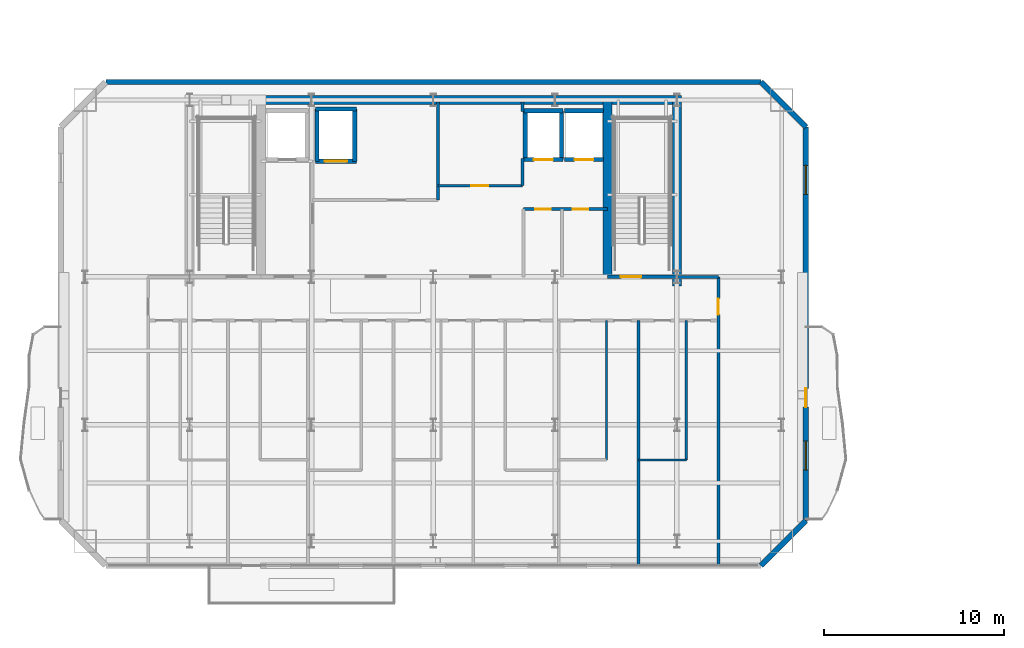
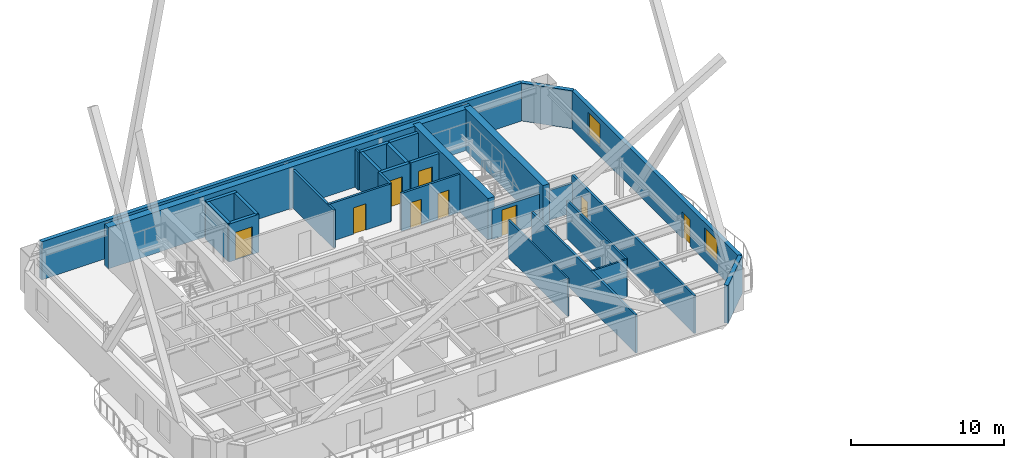
# One storey, part 12 of 20: 29 walls, 9 doors, 2 windows, 11 openings.
"""IFC4 building model written with IfcOpenShell, lengths in metres."""

from ifc_helpers import new_model, si_unit, direction, frame, frame_2d, origin, place, context, subcontext, project, spatial, rectangle, extrude, material, layer, layer_set, type_object, element, fill, save


model = new_model("IFC4")

# Units and contexts
model_context = context("Model", 3, precision=1e-05, world=origin(), true_north=direction((0.0, 1.0)))
body_context = subcontext(model_context, "Body", "Model", "MODEL_VIEW")
ifc_project = project(units=[si_unit("LENGTHUNIT", "METRE"), si_unit("AREAUNIT", "SQUARE_METRE"), si_unit("VOLUMEUNIT", "CUBIC_METRE"), si_unit("PLANEANGLEUNIT", "RADIAN"), si_unit("MASSUNIT", "GRAM", prefix="KILO")], contexts=[model_context])

# Site, building, storey
site_placement = place(None, origin())
site = spatial("IfcSite", under=ifc_project, at=site_placement, CompositionType="ELEMENT")
building_placement = place(site_placement, origin())
building = spatial("IfcBuilding", under=site, at=building_placement, Name="Haevon Station Towers", CompositionType="ELEMENT")
storey_placement = place(building_placement, frame((0.0, 0.0, 175.800048828125)))
storey = spatial("IfcBuildingStorey", under=building, at=storey_placement, Name="L48", CompositionType="ELEMENT", Elevation=175.800048828125)

# Wall, opening, door
ifc_material_1 = material(Name="Gypsum board on steel stud", Category="steel")
ifc_layer_1 = layer(ifc_material_1, 0.199951171875)
ifc_layer_set_1 = layer_set([ifc_layer_1], Name="Gypsum board on steel stud")
wall_type_1 = type_object("IfcWallType", Name="WL-COR200", PredefinedType="PARTITIONING", material=ifc_layer_set_1)
wall_1_placement = place(storey_placement, frame((47.14990234375, 38.199951171875, 0.0), z_axis=(0.0, 0.0, 1.0), x_axis=(1.0, 0.0, 0.0)))
wall_1 = element("IfcWall", 1, at=wall_1_placement, inside=storey, type_object=wall_type_1, Name="WL-ST-ST2-L48", PredefinedType="PARTITIONING", context=body_context, shape_type="SweptSolid", body=[
    extrude(rectangle(XDim=3.85009765625, YDim=0.199951171875, at=frame_2d((1.925048828125, 0.0))), origin(), (0.0, 0.0, 1.0), 2.3798828125),
])
opening_1_placement = place(wall_1_placement, frame((0.75, 0.0, 0.0)))
opening_1 = element("IfcOpeningElement", 2, at=opening_1_placement, cuts=wall_1, Name="Opening DR-ST-ST2-L48", PredefinedType="OPENING", context=body_context, shape_type="SweptSolid", body=[
    extrude(rectangle(XDim=1.1201171875, YDim=2.10009765625, at=frame_2d((0.56005859375, 1.050048828125))), frame((0.0, 0.10986328125, 0.0), z_axis=(0.0, -1.0, 0.0), x_axis=(1.0, 0.0, 0.0)), (0.0, 0.0, 1.0), 0.219970703125),
])
ifc_material_2 = material(Name="Engineered oak timber", Category="wood")
door_type_1 = type_object("IfcDoorType", Name="DR-ST-1120", OperationType="NOTDEFINED", PredefinedType="DOOR", material=ifc_material_2)
door_1_placement = place(opening_1_placement, origin())
door_1 = element("IfcDoor", 3, at=door_1_placement, inside=storey, type_object=door_type_1, Name="L48 Escape Stair ST2 Fire Door", OperationType="SINGLE_SWING_RIGHT", OverallHeight=2.10009765625, OverallWidth=1.1201171875, PredefinedType="DOOR", context=body_context, shape_type="SweptSolid", body=[
    extrude(rectangle(XDim=1.1201171875, YDim=2.10009765625, at=frame_2d((0.56005859375, 1.050048828125))), frame((0.0, 0.02490234375, 0.0), z_axis=(0.0, -1.0, 0.0), x_axis=(1.0, 0.0, 0.0)), (0.0, 0.0, 1.0), 0.050048828125),
])
fill(opening_1, door_1)

# Walls
ifc_material_3 = material(Name="Concrete C60/75", Category="concrete")
ifc_layer_2 = layer(ifc_material_3, 0.5)
ifc_layer_set_2 = layer_set([ifc_layer_2], Name="Concrete C60/75")
wall_type_2 = type_object("IfcWallType", Name="WL-CR500", PredefinedType="SHEAR", material=ifc_layer_set_2)
wall_2_placement = place(storey_placement, frame((23.75, 48.0, 0.0), z_axis=(0.0, 0.0, 1.0), x_axis=(1.0, 0.0, 0.0)))
element("IfcWall", 4, at=wall_2_placement, inside=storey, type_object=wall_type_2, Name="WL-T1CR-L48-N", PredefinedType="SHEAR", context=body_context, shape_type="SweptSolid", body=[
    extrude(rectangle(XDim=27.5, YDim=0.5, at=frame_2d((13.75, 0.0))), origin(), (0.0, 0.0, 1.0), 3.300048828125),
])
wall_3_placement = place(storey_placement, frame((51.0, 37.679931640625, 0.0), z_axis=(0.0, 0.0, 1.0), x_axis=(0.0, 1.0, 0.0)))
element("IfcWall", 5, at=wall_3_placement, inside=storey, type_object=wall_type_2, Name="WL-T1CR-L48-E", PredefinedType="SHEAR", context=body_context, shape_type="SweptSolid", body=[
    extrude(rectangle(XDim=10.320068359375, YDim=0.5, at=frame_2d((5.16015625, 0.0))), origin(), (0.0, 0.0, 1.0), 3.300048828125),
])
wall_4_placement = place(storey_placement, frame((47.14990234375, 38.199951171875, 0.0), z_axis=(0.0, 0.0, 1.0), x_axis=(0.0, 1.0, 0.0)))
element("IfcWall", 6, at=wall_4_placement, inside=storey, type_object=wall_type_2, Name="WL-T1CR-L48-M2", PredefinedType="SHEAR", context=body_context, shape_type="SweptSolid", body=[
    extrude(rectangle(XDim=9.800048828125, YDim=0.5, at=frame_2d((4.89990234375, 0.0))), origin(), (0.0, 0.0, 1.0), 3.300048828125),
])
ifc_material_4 = material(Name="Precast concrete C45/55", Category="concrete")
ifc_layer_3 = layer(ifc_material_4, 0.300048828125)
ifc_layer_set_3 = layer_set([ifc_layer_3], Name="Precast concrete C45/55")
wall_type_3 = type_object("IfcWallType", Name="WL-EXT-PIER300", PredefinedType="SOLIDWALL", material=ifc_layer_set_3)
wall_5_placement = place(storey_placement, frame((19.35009765625, 49.0, 0.0), z_axis=(0.0, 0.0, 1.0), x_axis=(1.0, 0.0, 0.0)))
element("IfcWall", 7, at=wall_5_placement, inside=storey, type_object=wall_type_3, Name="WL-T1-L48-N", PredefinedType="SOLIDWALL", context=body_context, shape_type="SweptSolid", body=[
    extrude(rectangle(XDim=36.2998046875, YDim=0.300048828125, at=frame_2d((18.14990234375, 0.0))), origin(), (0.0, 0.0, 1.0), 3.030029296875),
])
wall_6_placement = place(storey_placement, frame((55.64990234375, 49.0, 0.0), z_axis=(0.0, 0.0, 1.0), x_axis=(0.707106781187, -0.707106781187, 0.0)))
element("IfcWall", 8, at=wall_6_placement, inside=storey, type_object=wall_type_3, Name="WL-T1-L48-NEC", PredefinedType="SOLIDWALL", context=body_context, shape_type="SweptSolid", body=[
    extrude(rectangle(XDim=3.53564453125, YDim=0.300048828125, at=frame_2d((1.767822265625, 0.0))), origin(), (0.0, 0.0, 1.0), 3.030029296875),
])

# Wall, openings, door, windows
wall_7_placement = place(storey_placement, frame((58.14990234375, 46.5, 0.0), z_axis=(0.0, 0.0, 1.0), x_axis=(0.0, -1.0, 0.0)))
wall_7 = element("IfcWall", 9, at=wall_7_placement, inside=storey, type_object=wall_type_3, Name="WL-T1-L48-E", PredefinedType="SOLIDWALL", context=body_context, shape_type="SweptSolid", body=[
    extrude(rectangle(XDim=21.800048828125, YDim=0.300048828125, at=frame_2d((10.89990234375, 0.0))), origin(), (0.0, 0.0, 1.0), 3.030029296875),
])
opening_2_placement = place(wall_7_placement, frame((14.47509765625, 0.0, 0.0)))
opening_2 = element("IfcOpeningElement", 10, at=opening_2_placement, cuts=wall_7, Name="Opening DR-T1-SCAL-L48-E", PredefinedType="OPENING", context=body_context, shape_type="SweptSolid", body=[
    extrude(rectangle(XDim=1.050048828125, YDim=2.10009765625, at=frame_2d((0.52490234375, 1.050048828125))), frame((0.0, 0.159912109375, 0.0), z_axis=(0.0, -1.0, 0.0), x_axis=(1.0, 0.0, 0.0)), (0.0, 0.0, 1.0), 0.320068359375),
])
opening_3_placement = place(wall_7_placement, frame((2.128662109375, 0.0, 0.800048828125)))
opening_3 = element("IfcOpeningElement", 11, at=opening_3_placement, cuts=wall_7, Name="Opening WN-END160", PredefinedType="OPENING", context=body_context, shape_type="SweptSolid", body=[
    extrude(rectangle(XDim=1.60009765625, YDim=1.800048828125, at=frame_2d((0.800048828125, 0.89990234375))), frame((0.0, 0.159912109375, 0.0), z_axis=(0.0, -1.0, 0.0), x_axis=(1.0, 0.0, 0.0)), (0.0, 0.0, 1.0), 0.320068359375),
])
opening_4_placement = place(wall_7_placement, frame((17.406982421875, 0.0, 0.800048828125)))
opening_4 = element("IfcOpeningElement", 12, at=opening_4_placement, cuts=wall_7, Name="Opening WN-END160", PredefinedType="OPENING", context=body_context, shape_type="SweptSolid", body=[
    extrude(rectangle(XDim=1.60009765625, YDim=1.800048828125, at=frame_2d((0.800048828125, 0.89990234375))), frame((0.0, 0.159912109375, 0.0), z_axis=(0.0, -1.0, 0.0), x_axis=(1.0, 0.0, 0.0)), (0.0, 0.0, 1.0), 0.320068359375),
])
ifc_material_5 = material(Name="Thermally broken anodised aluminium and laminated safety glass", Category="aluminium")
door_type_2 = type_object("IfcDoorType", Name="DR-BALC-1050", OperationType="NOTDEFINED", PredefinedType="DOOR", material=ifc_material_5)
door_2_placement = place(opening_2_placement, origin())
door_2 = element("IfcDoor", 13, at=door_2_placement, inside=storey, type_object=door_type_2, Name="Tower 1 L48 East Scalloped Balcony Door", OperationType="SINGLE_SWING_RIGHT", OverallHeight=2.10009765625, OverallWidth=1.050048828125, PredefinedType="DOOR", context=body_context, shape_type="SweptSolid", body=[
    extrude(rectangle(XDim=1.050048828125, YDim=2.10009765625, at=frame_2d((0.52490234375, 1.050048828125))), frame((0.0, 0.02490234375, 0.0), z_axis=(0.0, -1.0, 0.0), x_axis=(1.0, 0.0, 0.0)), (0.0, 0.0, 1.0), 0.050048828125),
])
fill(opening_2, door_2)
ifc_material_6 = material(Name="Low-E triple glazing in thermally broken aluminium", Category="aluminium")
window_type = type_object("IfcWindowType", Name="WN-END160", PartitioningType="SINGLE_PANEL", PredefinedType="WINDOW", material=ifc_material_6)
window_1_placement = place(opening_3_placement, origin())
window_1 = element("IfcWindow", 14, at=window_1_placement, inside=storey, type_object=window_type, Name="WN-T1-L48-E01", OverallHeight=1.800048828125, OverallWidth=1.60009765625, PartitioningType="SINGLE_PANEL", PredefinedType="WINDOW", context=body_context, shape_type="SweptSolid", body=[
    extrude(rectangle(XDim=1.60009765625, YDim=1.800048828125, at=frame_2d((0.800048828125, 0.89990234375))), frame((0.0, 0.030029296875, 0.0), z_axis=(0.0, -1.0, 0.0), x_axis=(1.0, 0.0, 0.0)), (0.0, 0.0, 1.0), 0.06005859375),
])
fill(opening_3, window_1)
window_2_placement = place(opening_4_placement, origin())
window_2 = element("IfcWindow", 15, at=window_2_placement, inside=storey, type_object=window_type, Name="WN-T1-L48-E02", OverallHeight=1.800048828125, OverallWidth=1.60009765625, PartitioningType="SINGLE_PANEL", PredefinedType="WINDOW", context=body_context, shape_type="SweptSolid", body=[
    extrude(rectangle(XDim=1.60009765625, YDim=1.800048828125, at=frame_2d((0.800048828125, 0.89990234375))), frame((0.0, 0.030029296875, 0.0), z_axis=(0.0, -1.0, 0.0), x_axis=(1.0, 0.0, 0.0)), (0.0, 0.0, 1.0), 0.06005859375),
])
fill(opening_4, window_2)

# Walls
wall_8_placement = place(storey_placement, frame((58.14990234375, 24.699951171875, 0.0), z_axis=(0.0, 0.0, 1.0), x_axis=(-0.707106781187, -0.707106781187, 0.0)))
element("IfcWall", 16, at=wall_8_placement, inside=storey, type_object=wall_type_3, Name="WL-T1-L48-SEC", PredefinedType="SOLIDWALL", context=body_context, shape_type="SweptSolid", body=[
    extrude(rectangle(XDim=3.53564453125, YDim=0.300048828125, at=frame_2d((1.767822265625, 0.0))), origin(), (0.0, 0.0, 1.0), 3.030029296875),
])
ifc_layer_4 = layer(ifc_material_1, 0.125)
ifc_layer_set_4 = layer_set([ifc_layer_4], Name="Gypsum board on steel stud")
wall_type_4 = type_object("IfcWallType", Name="WL-PRT125", PredefinedType="PARTITIONING", material=ifc_layer_set_4)
wall_9_placement = place(storey_placement, frame((47.095947265625, 28.05224609375, 0.0), z_axis=(0.0, 0.0, 1.0), x_axis=(0.0, 1.0, 0.0)))
element("IfcWall", 17, at=wall_9_placement, inside=storey, type_object=wall_type_4, Name="WL-T1PT-L48-21", PredefinedType="PARTITIONING", context=body_context, shape_type="SweptSolid", body=[
    extrude(rectangle(XDim=7.727783203125, YDim=0.125, at=frame_2d((3.86376953125, 0.0))), origin(), (0.0, 0.0, 1.0), 3.030029296875),
])
wall_10_placement = place(storey_placement, frame((48.8759765625, 28.05224609375, 0.0), z_axis=(0.0, 0.0, 1.0), x_axis=(1.0, 0.0, 0.0)))
element("IfcWall", 18, at=wall_10_placement, inside=storey, type_object=wall_type_4, Name="WL-T1PT-L48-23", PredefinedType="PARTITIONING", context=body_context, shape_type="SweptSolid", body=[
    extrude(rectangle(XDim=2.64404296875, YDim=0.125, at=frame_2d((1.322021484375, 0.0))), origin(), (0.0, 0.0, 1.0), 3.030029296875),
])
ifc_layer_5 = layer(ifc_material_1, 0.139892578125)
ifc_layer_set_5 = layer_set([ifc_layer_5], Name="Gypsum board on steel stud")
wall_type_5 = type_object("IfcWallType", Name="WL-PRT140", PredefinedType="PARTITIONING", material=ifc_layer_set_5)
wall_11_placement = place(storey_placement, frame((51.52001953125, 28.05224609375, 0.0), z_axis=(0.0, 0.0, 1.0), x_axis=(0.0, 1.0, 0.0)))
element("IfcWall", 19, at=wall_11_placement, inside=storey, type_object=wall_type_5, Name="WL-T1PT-L48-24", PredefinedType="PARTITIONING", context=body_context, shape_type="SweptSolid", body=[
    extrude(rectangle(XDim=7.727783203125, YDim=0.139892578125, at=frame_2d((3.86376953125, 0.0))), origin(), (0.0, 0.0, 1.0), 3.030029296875),
])
ifc_layer_6 = layer(ifc_material_1, 0.159912109375)
ifc_layer_set_6 = layer_set([ifc_layer_6], Name="Gypsum board on steel stud")
wall_type_6 = type_object("IfcWallType", Name="WL-PRT160", PredefinedType="PARTITIONING", material=ifc_layer_set_6)
wall_12_placement = place(storey_placement, frame((37.75, 42.449951171875, 0.0), z_axis=(0.0, 0.0, 1.0), x_axis=(0.0, 1.0, 0.0)))
element("IfcWall", 20, at=wall_12_placement, inside=storey, type_object=wall_type_6, Name="WL-T1CW-L48-02", PredefinedType="PARTITIONING", context=body_context, shape_type="SweptSolid", body=[
    extrude(rectangle(XDim=5.449951171875, YDim=0.159912109375, at=frame_2d((2.72509765625, 0.0))), origin(), (0.0, 0.0, 1.0), 3.030029296875),
])

# Wall, opening, door
wall_13_placement = place(storey_placement, frame((37.75, 43.25, 0.0), z_axis=(0.0, 0.0, 1.0), x_axis=(1.0, 0.0, 0.0)))
wall_13 = element("IfcWall", 21, at=wall_13_placement, inside=storey, type_object=wall_type_6, Name="WL-T1CW-L48-03", PredefinedType="PARTITIONING", context=body_context, shape_type="SweptSolid", body=[
    extrude(rectangle(XDim=4.699951171875, YDim=0.159912109375, at=frame_2d((2.35009765625, 0.0))), origin(), (0.0, 0.0, 1.0), 3.030029296875),
])
opening_5_placement = place(wall_13_placement, frame((1.85009765625, 0.0, 0.0)))
opening_5 = element("IfcOpeningElement", 22, at=opening_5_placement, cuts=wall_13, Name="Opening DR-WL-T1CW-L48-03-1", PredefinedType="OPENING", context=body_context, shape_type="SweptSolid", body=[
    extrude(rectangle(XDim=0.949951171875, YDim=2.10009765625, at=frame_2d((0.47509765625, 1.050048828125))), frame((0.0, 0.08984375, 0.0), z_axis=(0.0, -1.0, 0.0), x_axis=(1.0, 0.0, 0.0)), (0.0, 0.0, 1.0), 0.179931640625),
])
door_type_3 = type_object("IfcDoorType", Name="DR-FD60-950", OperationType="NOTDEFINED", PredefinedType="DOOR", material=ifc_material_2)
door_3_placement = place(opening_5_placement, origin())
door_3 = element("IfcDoor", 23, at=door_3_placement, inside=storey, type_object=door_type_3, Name="L48 Tower 1 Core Room Door 3-1", OperationType="SINGLE_SWING_RIGHT", OverallHeight=2.10009765625, OverallWidth=0.949951171875, PredefinedType="DOOR", context=body_context, shape_type="SweptSolid", body=[
    extrude(rectangle(XDim=0.949951171875, YDim=2.10009765625, at=frame_2d((0.47509765625, 1.050048828125))), frame((0.0, 0.02490234375, 0.0), z_axis=(0.0, -1.0, 0.0), x_axis=(1.0, 0.0, 0.0)), (0.0, 0.0, 1.0), 0.050048828125),
])
fill(opening_5, door_3)

# Walls
wall_14_placement = place(storey_placement, frame((42.449951171875, 43.25, 0.0), z_axis=(0.0, 0.0, 1.0), x_axis=(0.0, 1.0, 0.0)))
element("IfcWall", 24, at=wall_14_placement, inside=storey, type_object=wall_type_6, Name="WL-T1CW-L48-04", PredefinedType="PARTITIONING", context=body_context, shape_type="SweptSolid", body=[
    extrude(rectangle(XDim=1.5, YDim=0.159912109375, at=frame_2d((0.75, 0.0))), origin(), (0.0, 0.0, 1.0), 3.030029296875),
])
wall_15_placement = place(storey_placement, frame((42.449951171875, 47.35009765625, 0.0), z_axis=(0.0, 0.0, 1.0), x_axis=(0.0, 1.0, 0.0)))
element("IfcWall", 25, at=wall_15_placement, inside=storey, type_object=wall_type_6, Name="WL-T1CW-L48-05", PredefinedType="PARTITIONING", context=body_context, shape_type="SweptSolid", body=[
    extrude(rectangle(XDim=0.5498046875, YDim=0.159912109375, at=frame_2d((0.27490234375, 0.0))), origin(), (0.0, 0.0, 1.0), 3.030029296875),
])

# Wall, openings, doors
wall_16_placement = place(storey_placement, frame((42.5, 41.949951171875, 0.0), z_axis=(0.0, 0.0, 1.0), x_axis=(1.0, 0.0, 0.0)))
wall_16 = element("IfcWall", 26, at=wall_16_placement, inside=storey, type_object=wall_type_6, Name="WL-T1CW-L48-08", PredefinedType="PARTITIONING", context=body_context, shape_type="SweptSolid", body=[
    extrude(rectangle(XDim=4.64990234375, YDim=0.159912109375, at=frame_2d((2.324951171875, 0.0))), origin(), (0.0, 0.0, 1.0), 3.030029296875),
])
opening_6_placement = place(wall_16_placement, frame((0.659912109375, 0.0, 0.0)))
opening_6 = element("IfcOpeningElement", 27, at=opening_6_placement, cuts=wall_16, Name="Opening DR-WL-T1CW-L48-08-1", PredefinedType="OPENING", context=body_context, shape_type="SweptSolid", body=[
    extrude(rectangle(XDim=0.85009765625, YDim=2.050048828125, at=frame_2d((0.425048828125, 1.02490234375))), frame((0.0, 0.08984375, 0.0), z_axis=(0.0, -1.0, 0.0), x_axis=(1.0, 0.0, 0.0)), (0.0, 0.0, 1.0), 0.179931640625),
])
opening_7_placement = place(wall_16_placement, frame((2.72998046875, 0.0, 0.0)))
opening_7 = element("IfcOpeningElement", 28, at=opening_7_placement, cuts=wall_16, Name="Opening DR-WL-T1CW-L48-08-2", PredefinedType="OPENING", context=body_context, shape_type="SweptSolid", body=[
    extrude(rectangle(XDim=0.85009765625, YDim=2.050048828125, at=frame_2d((0.425048828125, 1.02490234375))), frame((0.0, 0.08984375, 0.0), z_axis=(0.0, -1.0, 0.0), x_axis=(1.0, 0.0, 0.0)), (0.0, 0.0, 1.0), 0.179931640625),
])
door_type_4 = type_object("IfcDoorType", Name="DR-FD30-850", OperationType="NOTDEFINED", PredefinedType="DOOR", material=ifc_material_2)
door_4_placement = place(opening_6_placement, origin())
door_4 = element("IfcDoor", 29, at=door_4_placement, inside=storey, type_object=door_type_4, Name="L48 Tower 1 Core Room Door 8-1", OperationType="SINGLE_SWING_LEFT", OverallHeight=2.050048828125, OverallWidth=0.85009765625, PredefinedType="DOOR", context=body_context, shape_type="SweptSolid", body=[
    extrude(rectangle(XDim=0.85009765625, YDim=2.050048828125, at=frame_2d((0.425048828125, 1.02490234375))), frame((0.0, 0.02490234375, 0.0), z_axis=(0.0, -1.0, 0.0), x_axis=(1.0, 0.0, 0.0)), (0.0, 0.0, 1.0), 0.050048828125),
])
fill(opening_6, door_4)
door_5_placement = place(opening_7_placement, origin())
door_5 = element("IfcDoor", 30, at=door_5_placement, inside=storey, type_object=door_type_4, Name="L48 Tower 1 Core Room Door 8-2", OperationType="SINGLE_SWING_RIGHT", OverallHeight=2.050048828125, OverallWidth=0.85009765625, PredefinedType="DOOR", context=body_context, shape_type="SweptSolid", body=[
    extrude(rectangle(XDim=0.85009765625, YDim=2.050048828125, at=frame_2d((0.425048828125, 1.02490234375))), frame((0.0, 0.02490234375, 0.0), z_axis=(0.0, -1.0, 0.0), x_axis=(1.0, 0.0, 0.0)), (0.0, 0.0, 1.0), 0.050048828125),
])
fill(opening_7, door_5)

# Wall
wall_17_placement = place(storey_placement, frame((51.0, 38.199951171875, 0.0), z_axis=(0.0, 0.0, 1.0), x_axis=(1.0, 0.0, 0.0)))
element("IfcWall", 31, at=wall_17_placement, inside=storey, type_object=wall_type_6, Name="WL-T1PT-L48-02", PredefinedType="PARTITIONING", context=body_context, shape_type="SweptSolid", body=[
    extrude(rectangle(XDim=2.300048828125, YDim=0.159912109375, at=frame_2d((1.14990234375, 0.0))), origin(), (0.0, 0.0, 1.0), 2.3798828125),
])

# Wall, opening, door
wall_18_placement = place(storey_placement, frame((53.300048828125, 22.199951171875, 0.0), z_axis=(0.0, 0.0, 1.0), x_axis=(0.0, 1.0, 0.0)))
wall_18 = element("IfcWall", 32, at=wall_18_placement, inside=storey, type_object=wall_type_6, Name="WL-T1PT-L48-04", PredefinedType="PARTITIONING", context=body_context, shape_type="SweptSolid", body=[
    extrude(rectangle(XDim=16.0, YDim=0.159912109375, at=frame_2d((8.0, 0.0))), origin(), (0.0, 0.0, 1.0), 3.030029296875),
])
opening_8_placement = place(wall_18_placement, frame((13.89990234375, 0.0, 0.0)))
opening_8 = element("IfcOpeningElement", 33, at=opening_8_placement, cuts=wall_18, Name="Opening DR-WL-T1PT-L48-04-01", PredefinedType="OPENING", context=body_context, shape_type="SweptSolid", body=[
    extrude(rectangle(XDim=0.89990234375, YDim=2.050048828125, at=frame_2d((0.449951171875, 1.02490234375))), frame((0.0, 0.08984375, 0.0), z_axis=(0.0, -1.0, 0.0), x_axis=(1.0, 0.0, 0.0)), (0.0, 0.0, 1.0), 0.179931640625),
])
door_type_5 = type_object("IfcDoorType", Name="DR-INT-900", OperationType="NOTDEFINED", PredefinedType="DOOR", material=ifc_material_2)
door_6_placement = place(opening_8_placement, origin())
door_6 = element("IfcDoor", 34, at=door_6_placement, inside=storey, type_object=door_type_5, Name="L48 Tower 1 Room Door 4-1", OperationType="SINGLE_SWING_RIGHT", OverallHeight=2.050048828125, OverallWidth=0.89990234375, PredefinedType="DOOR", context=body_context, shape_type="SweptSolid", body=[
    extrude(rectangle(XDim=0.89990234375, YDim=2.050048828125, at=frame_2d((0.449951171875, 1.02490234375))), frame((0.0, 0.02490234375, 0.0), z_axis=(0.0, -1.0, 0.0), x_axis=(1.0, 0.0, 0.0)), (0.0, 0.0, 1.0), 0.050048828125),
])
fill(opening_8, door_6)

# Wall
wall_19_placement = place(storey_placement, frame((48.8759765625, 22.199951171875, 0.0), z_axis=(0.0, 0.0, 1.0), x_axis=(0.0, 1.0, 0.0)))
element("IfcWall", 35, at=wall_19_placement, inside=storey, type_object=wall_type_6, Name="WL-T1PT-L48-22", PredefinedType="PARTITIONING", context=body_context, shape_type="SweptSolid", body=[
    extrude(rectangle(XDim=13.580078125, YDim=0.159912109375, at=frame_2d((6.7900390625, 0.0))), origin(), (0.0, 0.0, 1.0), 3.030029296875),
])

# Wall, opening, door
ifc_material_7 = material(Name="Concrete C40/50", Category="concrete")
ifc_layer_7 = layer(ifc_material_7, 0.239990234375)
ifc_layer_set_7 = layer_set([ifc_layer_7], Name="Concrete C40/50")
wall_type_7 = type_object("IfcWallType", Name="WL-SHF240", PredefinedType="PARTITIONING", material=ifc_layer_set_7)
wall_20_placement = place(storey_placement, frame((30.969970703125, 44.60009765625, 0.0), z_axis=(0.0, 0.0, 1.0), x_axis=(1.0, 0.0, 0.0)))
wall_20 = element("IfcWall", 36, at=wall_20_placement, inside=storey, type_object=wall_type_7, Name="WL-SHF-SL1-L48", PredefinedType="PARTITIONING", context=body_context, shape_type="SweptSolid", body=[
    extrude(rectangle(XDim=2.260009765625, YDim=0.239990234375, at=frame_2d((1.1298828125, 0.0))), origin(), (0.0, 0.0, 1.0), 3.030029296875),
])
opening_9_placement = place(wall_20_placement, frame((0.5048828125, 0.0, 0.0)))
opening_9 = element("IfcOpeningElement", 37, at=opening_9_placement, cuts=wall_20, Name="Opening LD-SL1-L48", PredefinedType="OPENING", context=body_context, shape_type="SweptSolid", body=[
    extrude(rectangle(XDim=1.25, YDim=2.199951171875, at=frame_2d((0.625, 1.10009765625))), frame((0.0, 0.1298828125, 0.0), z_axis=(0.0, -1.0, 0.0), x_axis=(1.0, 0.0, 0.0)), (0.0, 0.0, 1.0), 0.260009765625),
])
ifc_material_8 = material(Name="Stainless steel and rated core", Category="steel")
door_type_6 = type_object("IfcDoorType", Name="LD-SL1250", OperationType="SLIDING_TO_LEFT", PredefinedType="DOOR", material=ifc_material_8)
door_7_placement = place(opening_9_placement, origin())
door_7 = element("IfcDoor", 38, at=door_7_placement, inside=storey, type_object=door_type_6, Name="L48 Lift SL1 Sliding Landing Door", OperationType="SLIDING_TO_LEFT", OverallHeight=2.199951171875, OverallWidth=1.25, PredefinedType="DOOR", context=body_context, shape_type="SweptSolid", body=[
    extrude(rectangle(XDim=1.25, YDim=2.199951171875, at=frame_2d((0.625, 1.10009765625))), frame((0.0, 0.02490234375, 0.0), z_axis=(0.0, -1.0, 0.0), x_axis=(1.0, 0.0, 0.0)), (0.0, 0.0, 1.0), 0.050048828125),
])
fill(opening_9, door_7)

# Walls
wall_21_placement = place(storey_placement, frame((30.969970703125, 47.5, 0.0), z_axis=(0.0, 0.0, 1.0), x_axis=(1.0, 0.0, 0.0)))
element("IfcWall", 39, at=wall_21_placement, inside=storey, type_object=wall_type_7, Name="WL-SHF-SL1-L48-N", PredefinedType="PARTITIONING", context=body_context, shape_type="SweptSolid", body=[
    extrude(rectangle(XDim=2.260009765625, YDim=0.239990234375, at=frame_2d((1.1298828125, 0.0))), origin(), (0.0, 0.0, 1.0), 3.030029296875),
])
for number, where, z_axis, x_axis, name in (
    (40, (31.050048828125, 44.60009765625, 0.0), (0.0, 0.0, 1.0), (0.0, 1.0, 0.0), "WL-SHF-SL1-L48-W"),
    (41, (33.14990234375, 44.60009765625, 0.0), (0.0, 0.0, 1.0), (0.0, 1.0, 0.0), "WL-SHF-SL1-L48-E"),
):
    element("IfcWall", number, at=place(storey_placement, frame(where, z_axis=z_axis, x_axis=x_axis)), inside=storey, type_object=wall_type_7, Name=name, PredefinedType="PARTITIONING", context=body_context, shape_type="SweptSolid", body=[
        extrude(rectangle(XDim=2.89990234375, YDim=0.239990234375, at=frame_2d((1.449951171875, 0.0))), origin(), (0.0, 0.0, 1.0), 3.030029296875),
    ])

# Wall, opening, door
wall_22_placement = place(storey_placement, frame((42.52001953125, 44.699951171875, 0.0), z_axis=(0.0, 0.0, 1.0), x_axis=(1.0, 0.0, 0.0)))
wall_22 = element("IfcWall", 42, at=wall_22_placement, inside=storey, type_object=wall_type_7, Name="WL-SHF-PL5-L48", PredefinedType="PARTITIONING", context=body_context, shape_type="SweptSolid", body=[
    extrude(rectangle(XDim=2.159912109375, YDim=0.239990234375, at=frame_2d((1.080078125, 0.0))), origin(), (0.0, 0.0, 1.0), 3.030029296875),
])
opening_10_placement = place(wall_22_placement, frame((0.554931640625, 0.0, 0.0)))
opening_10 = element("IfcOpeningElement", 43, at=opening_10_placement, cuts=wall_22, Name="Opening LD-PL5-L48", PredefinedType="OPENING", context=body_context, shape_type="SweptSolid", body=[
    extrude(rectangle(XDim=1.050048828125, YDim=2.14990234375, at=frame_2d((0.52490234375, 1.074951171875))), frame((0.0, 0.1298828125, 0.0), z_axis=(0.0, -1.0, 0.0), x_axis=(1.0, 0.0, 0.0)), (0.0, 0.0, 1.0), 0.260009765625),
])
door_type_7 = type_object("IfcDoorType", Name="LD-PL1050", OperationType="SLIDING_TO_LEFT", PredefinedType="DOOR", material=ifc_material_8)
door_8_placement = place(opening_10_placement, origin())
door_8 = element("IfcDoor", 44, at=door_8_placement, inside=storey, type_object=door_type_7, Name="L48 Lift PL5 Sliding Landing Door", OperationType="SLIDING_TO_LEFT", OverallHeight=2.14990234375, OverallWidth=1.050048828125, PredefinedType="DOOR", context=body_context, shape_type="SweptSolid", body=[
    extrude(rectangle(XDim=1.050048828125, YDim=2.14990234375, at=frame_2d((0.52490234375, 1.074951171875))), frame((0.0, 0.02490234375, 0.0), z_axis=(0.0, -1.0, 0.0), x_axis=(1.0, 0.0, 0.0)), (0.0, 0.0, 1.0), 0.050048828125),
])
fill(opening_10, door_8)

# Walls
wall_23_placement = place(storey_placement, frame((42.52001953125, 47.39990234375, 0.0), z_axis=(0.0, 0.0, 1.0), x_axis=(1.0, 0.0, 0.0)))
element("IfcWall", 45, at=wall_23_placement, inside=storey, type_object=wall_type_7, Name="WL-SHF-PL5-L48-N", PredefinedType="PARTITIONING", context=body_context, shape_type="SweptSolid", body=[
    extrude(rectangle(XDim=2.159912109375, YDim=0.239990234375, at=frame_2d((1.080078125, 0.0))), origin(), (0.0, 0.0, 1.0), 3.030029296875),
])
for number, where, z_axis, x_axis, name in (
    (46, (42.60009765625, 44.699951171875, 0.0), (0.0, 0.0, 1.0), (0.0, 1.0, 0.0), "WL-SHF-PL5-L48-W"),
    (47, (44.60009765625, 44.699951171875, 0.0), (0.0, 0.0, 1.0), (0.0, 1.0, 0.0), "WL-SHF-PL5-L48-E"),
):
    element("IfcWall", number, at=place(storey_placement, frame(where, z_axis=z_axis, x_axis=x_axis)), inside=storey, type_object=wall_type_7, Name=name, PredefinedType="PARTITIONING", context=body_context, shape_type="SweptSolid", body=[
        extrude(rectangle(XDim=2.699951171875, YDim=0.239990234375, at=frame_2d((1.35009765625, 0.0))), origin(), (0.0, 0.0, 1.0), 3.030029296875),
    ])

# Wall, opening, door
wall_24_placement = place(storey_placement, frame((44.77001953125, 44.699951171875, 0.0), z_axis=(0.0, 0.0, 1.0), x_axis=(1.0, 0.0, 0.0)))
wall_24 = element("IfcWall", 48, at=wall_24_placement, inside=storey, type_object=wall_type_7, Name="WL-SHF-PL6-L48", PredefinedType="PARTITIONING", context=body_context, shape_type="SweptSolid", body=[
    extrude(rectangle(XDim=2.159912109375, YDim=0.239990234375, at=frame_2d((1.080078125, 0.0))), origin(), (0.0, 0.0, 1.0), 3.030029296875),
])
opening_11_placement = place(wall_24_placement, frame((0.554931640625, 0.0, 0.0)))
opening_11 = element("IfcOpeningElement", 49, at=opening_11_placement, cuts=wall_24, Name="Opening LD-PL6-L48", PredefinedType="OPENING", context=body_context, shape_type="SweptSolid", body=[
    extrude(rectangle(XDim=1.050048828125, YDim=2.14990234375, at=frame_2d((0.52490234375, 1.074951171875))), frame((0.0, 0.1298828125, 0.0), z_axis=(0.0, -1.0, 0.0), x_axis=(1.0, 0.0, 0.0)), (0.0, 0.0, 1.0), 0.260009765625),
])
door_9_placement = place(opening_11_placement, origin())
door_9 = element("IfcDoor", 50, at=door_9_placement, inside=storey, type_object=door_type_7, Name="L48 Lift PL6 Sliding Landing Door", OperationType="SLIDING_TO_LEFT", OverallHeight=2.14990234375, OverallWidth=1.050048828125, PredefinedType="DOOR", context=body_context, shape_type="SweptSolid", body=[
    extrude(rectangle(XDim=1.050048828125, YDim=2.14990234375, at=frame_2d((0.52490234375, 1.074951171875))), frame((0.0, 0.02490234375, 0.0), z_axis=(0.0, -1.0, 0.0), x_axis=(1.0, 0.0, 0.0)), (0.0, 0.0, 1.0), 0.050048828125),
])
fill(opening_11, door_9)

# Wall
wall_25_placement = place(storey_placement, frame((44.77001953125, 47.39990234375, 0.0), z_axis=(0.0, 0.0, 1.0), x_axis=(1.0, 0.0, 0.0)))
element("IfcWall", 51, at=wall_25_placement, inside=storey, type_object=wall_type_7, Name="WL-SHF-PL6-L48-N", PredefinedType="PARTITIONING", context=body_context, shape_type="SweptSolid", body=[
    extrude(rectangle(XDim=2.159912109375, YDim=0.239990234375, at=frame_2d((1.080078125, 0.0))), origin(), (0.0, 0.0, 1.0), 3.030029296875),
])

save(model, "model.ifc")
